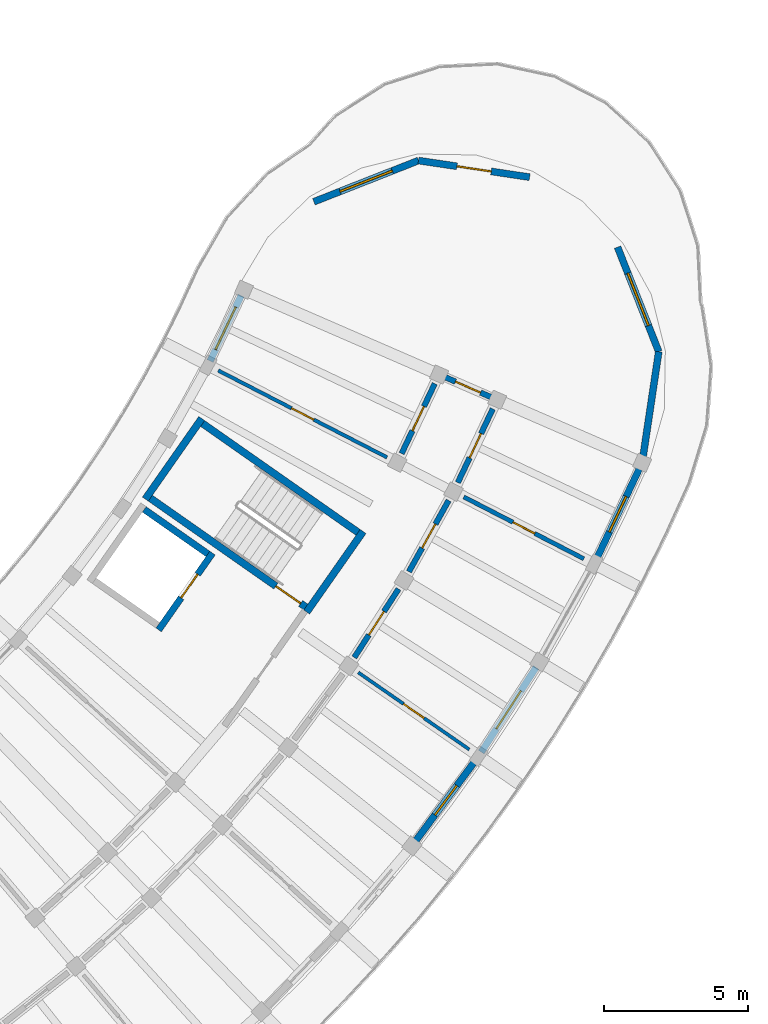
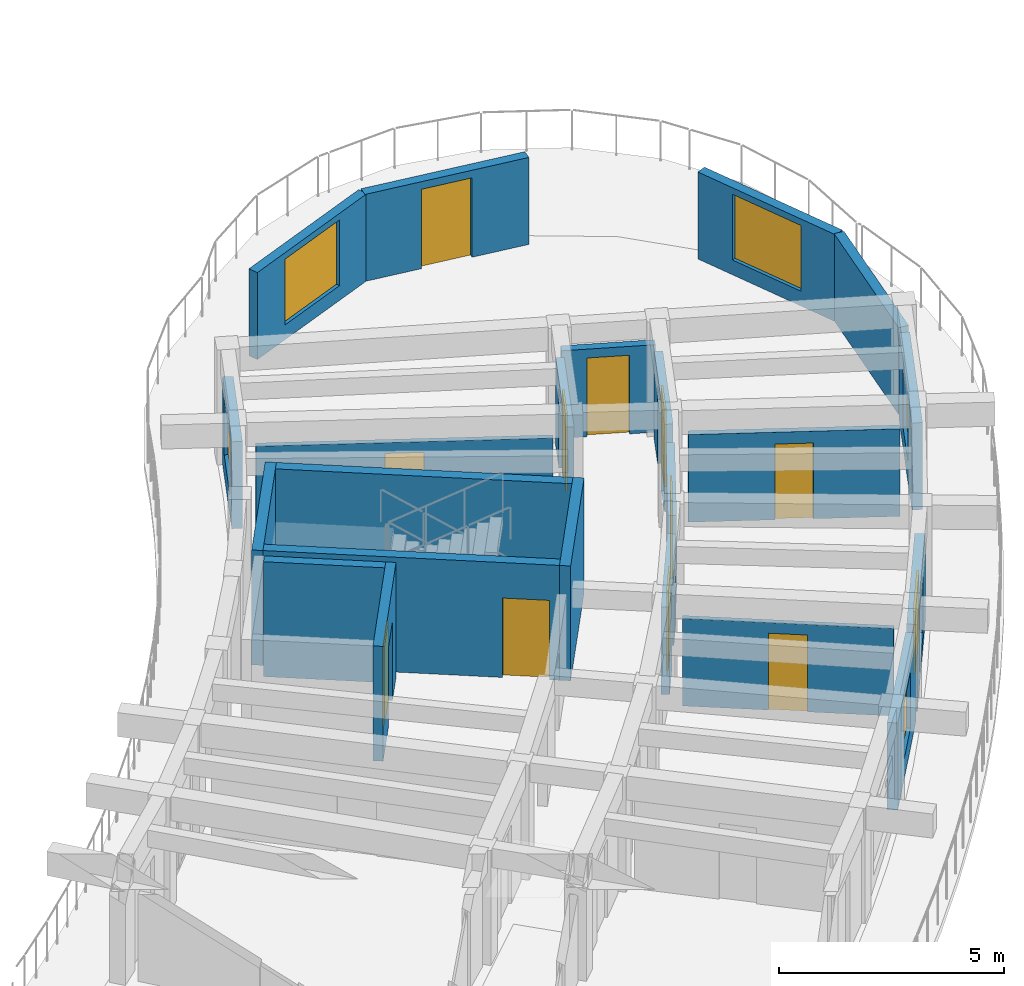
# One storey, part 54 of 83: 22 walls, 11 doors, 6 windows, 17 openings.
"""IFC4 building model written with IfcOpenShell, lengths in metres."""

from ifc_helpers import new_model, si_unit, direction, frame, frame_2d, origin, place, context, subcontext, project, spatial, rectangle, extrude, material, layer, layer_set, type_object, element, fill, save


model = new_model("IFC4")

# Units and contexts
model_context = context("Model", 3, precision=1e-05, world=origin(), true_north=direction((0.0, 1.0)))
body_context = subcontext(model_context, "Body", "Model", "MODEL_VIEW")
ifc_project = project(units=[si_unit("LENGTHUNIT", "METRE"), si_unit("AREAUNIT", "SQUARE_METRE"), si_unit("VOLUMEUNIT", "CUBIC_METRE"), si_unit("PLANEANGLEUNIT", "RADIAN"), si_unit("MASSUNIT", "GRAM", prefix="KILO")], contexts=[model_context])

# Site, building, storey
site_placement = place(None, origin())
site = spatial("IfcSite", under=ifc_project, at=site_placement, CompositionType="ELEMENT")
building_placement = place(site_placement, origin())
building = spatial("IfcBuilding", under=site, at=building_placement, Name="Tanwirah Colonnade Gardens", CompositionType="ELEMENT")
storey_placement = place(building_placement, frame((0.0, 0.0, 25.639892578125)))
storey = spatial("IfcBuildingStorey", under=building, at=storey_placement, Name="L07", CompositionType="ELEMENT", Elevation=25.639892578125)

# Wall, opening, window
ifc_material_1 = material(Name="Limestone architectural precast concrete C40/50", Category="masonry")
ifc_layer_1 = layer(ifc_material_1, 0.239990234375)
ifc_layer_set_1 = layer_set([ifc_layer_1], Name="Limestone architectural precast concrete C40/50")
wall_type_1 = type_object("IfcWallType", Name="EW-PC240", PredefinedType="SOLIDWALL", material=ifc_layer_set_1)
wall_1_placement = place(storey_placement, frame((167.738525390625, 27.60986328125, 0.0), z_axis=(0.0, 0.0, 1.0), x_axis=(0.596613229517, 0.802528911856, 0.0)))
wall_1 = element("IfcWall", 1, at=wall_1_placement, inside=storey, type_object=wall_type_1, Name="Block D L07 OUT Precast Facade Wall 10", PredefinedType="SOLIDWALL", context=body_context, shape_type="SweptSolid", body=[
    extrude(rectangle(XDim=3.511962890625, YDim=0.239990234375, at=frame_2d((1.755859375, 0.0))), origin(), (0.0, 0.0, 1.0), 2.355224609375),
])
opening_1_placement = place(wall_1_placement, frame((1.115966796875, 0.0, 0.550048828125)))
opening_1 = element("IfcOpeningElement", 2, at=opening_1_placement, cuts=wall_1, Name="Opening WIN-T17", PredefinedType="OPENING", context=body_context, shape_type="SweptSolid", body=[
    extrude(rectangle(XDim=1.280029296875, YDim=1.52001953125, at=frame_2d((0.64013671875, 0.760009765625))), frame((0.0, 0.1298828125, 0.0), z_axis=(0.0, -1.0, 0.0), x_axis=(1.0, 0.0, 0.0)), (0.0, 0.0, 1.0), 0.260009765625),
])
ifc_material_2 = material(Name="Thermally broken bronze aluminium and solar low-E double glazing", Category="aluminium")
window_type_1 = type_object("IfcWindowType", Name="WIN-T17", PartitioningType="SINGLE_PANEL", PredefinedType="WINDOW", material=ifc_material_2)
window_1_placement = place(opening_1_placement, origin())
window_1 = element("IfcWindow", 3, at=window_1_placement, inside=storey, type_object=window_type_1, Name="Facade window D-L07-OUT-10", OverallHeight=1.52001953125, OverallWidth=1.280029296875, PartitioningType="SINGLE_PANEL", PredefinedType="WINDOW", context=body_context, shape_type="SweptSolid", body=[
    extrude(rectangle(XDim=1.280029296875, YDim=1.52001953125, at=frame_2d((0.64013671875, 0.760009765625))), frame((0.0, 0.030029296875, 0.0), z_axis=(0.0, -1.0, 0.0), x_axis=(1.0, 0.0, 0.0)), (0.0, 0.0, 1.0), 0.06005859375),
])
fill(opening_1, window_1)

wall_2_placement = place(storey_placement, frame((170.015869140625, 30.691162109375, 0.0), z_axis=(0.0, 0.0, 1.0), x_axis=(0.542804414439, 0.839859135609, 0.0)))
wall_2 = element("IfcWall", 4, at=wall_2_placement, inside=storey, type_object=wall_type_1, Name="Block D L07 OUT Precast Facade Wall 11", PredefinedType="SOLIDWALL", context=body_context, shape_type="SweptSolid", body=[
    extrude(rectangle(XDim=3.511962890625, YDim=0.239990234375, at=frame_2d((1.755859375, 0.0))), origin(), (0.0, 0.0, 1.0), 2.355224609375),
])
opening_2_placement = place(wall_2_placement, frame((0.9658203125, 0.0, 0.35009765625)))
opening_2 = element("IfcOpeningElement", 5, at=opening_2_placement, cuts=wall_2, Name="Opening WIN-T20", PredefinedType="OPENING", context=body_context, shape_type="SweptSolid", body=[
    extrude(rectangle(XDim=1.580078125, YDim=1.679931640625, at=frame_2d((0.7900390625, 0.83984375))), frame((0.0, 0.1298828125, 0.0), z_axis=(0.0, -1.0, 0.0), x_axis=(1.0, 0.0, 0.0)), (0.0, 0.0, 1.0), 0.260009765625),
])
window_type_2 = type_object("IfcWindowType", Name="WIN-T20", PartitioningType="DOUBLE_PANEL_VERTICAL", PredefinedType="WINDOW", material=ifc_material_2)
window_2_placement = place(opening_2_placement, origin())
window_2 = element("IfcWindow", 6, at=window_2_placement, inside=storey, type_object=window_type_2, Name="Facade window D-L07-OUT-11", OverallHeight=1.679931640625, OverallWidth=1.580078125, PartitioningType="SINGLE_PANEL", PredefinedType="WINDOW", context=body_context, shape_type="SweptSolid", body=[
    extrude(rectangle(XDim=1.580078125, YDim=1.679931640625, at=frame_2d((0.7900390625, 0.83984375))), frame((0.0, 0.030029296875, 0.0), z_axis=(0.0, -1.0, 0.0), x_axis=(1.0, 0.0, 0.0)), (0.0, 0.0, 1.0), 0.06005859375),
])
fill(opening_2, window_2)

wall_3_placement = place(storey_placement, frame((174.009521484375, 37.378173828125, 0.0), z_axis=(0.0, 0.0, 1.0), x_axis=(0.428513632784, 0.90353531559, 0.0)))
wall_3 = element("IfcWall", 7, at=wall_3_placement, inside=storey, type_object=wall_type_1, Name="Block D L07 OUT Precast Facade Wall 13", PredefinedType="SOLIDWALL", context=body_context, shape_type="SweptSolid", body=[
    extrude(rectangle(XDim=3.511962890625, YDim=0.239990234375, at=frame_2d((1.755859375, 0.0))), origin(), (0.0, 0.0, 1.0), 2.355224609375),
])
opening_3_placement = place(wall_3_placement, frame((1.075927734375, 0.0, 0.550048828125)))
opening_3 = element("IfcOpeningElement", 8, at=opening_3_placement, cuts=wall_3, Name="Opening WIN-U06", PredefinedType="OPENING", context=body_context, shape_type="SweptSolid", body=[
    extrude(rectangle(XDim=1.360107421875, YDim=1.610107421875, at=frame_2d((0.68017578125, 0.80517578125))), frame((0.0, 0.1298828125, 0.0), z_axis=(0.0, -1.0, 0.0), x_axis=(1.0, 0.0, 0.0)), (0.0, 0.0, 1.0), 0.260009765625),
])
window_type_3 = type_object("IfcWindowType", Name="WIN-U06", PartitioningType="DOUBLE_PANEL_VERTICAL", PredefinedType="WINDOW", material=ifc_material_2)
window_3_placement = place(opening_3_placement, origin())
window_3 = element("IfcWindow", 9, at=window_3_placement, inside=storey, type_object=window_type_3, Name="Facade window D-L07-OUT-13", OverallHeight=1.610107421875, OverallWidth=1.360107421875, PartitioningType="SINGLE_PANEL", PredefinedType="WINDOW", context=body_context, shape_type="SweptSolid", body=[
    extrude(rectangle(XDim=1.360107421875, YDim=1.610107421875, at=frame_2d((0.68017578125, 0.80517578125))), frame((0.0, 0.030029296875, 0.0), z_axis=(0.0, -1.0, 0.0), x_axis=(1.0, 0.0, 0.0)), (0.0, 0.0, 1.0), 0.06005859375),
])
fill(opening_3, window_3)

wall_4_placement = place(storey_placement, frame((160.58544921875, 44.2919921875, 0.0), z_axis=(0.0, 0.0, 1.0), x_axis=(0.428543710186, 0.903521050369, 0.0)))
wall_4 = element("IfcWall", 10, at=wall_4_placement, inside=storey, type_object=wall_type_1, Name="Block D L07 IN Precast Facade Wall 13", PredefinedType="SOLIDWALL", context=body_context, shape_type="SweptSolid", body=[
    extrude(rectangle(XDim=2.523681640625, YDim=0.239990234375, at=frame_2d((1.26171875, 0.0))), origin(), (0.0, 0.0, 1.0), 2.355224609375),
])
opening_4_placement = place(wall_4_placement, frame((0.44189453125, 0.0, 0.550048828125)))
opening_4 = element("IfcOpeningElement", 11, at=opening_4_placement, cuts=wall_4, Name="Opening WIN-U13", PredefinedType="OPENING", context=body_context, shape_type="SweptSolid", body=[
    extrude(rectangle(XDim=1.639892578125, YDim=1.56005859375, at=frame_2d((0.81982421875, 0.780029296875))), frame((0.0, 0.1298828125, 0.0), z_axis=(0.0, -1.0, 0.0), x_axis=(1.0, 0.0, 0.0)), (0.0, 0.0, 1.0), 0.260009765625),
])
window_type_4 = type_object("IfcWindowType", Name="WIN-U13", PartitioningType="DOUBLE_PANEL_VERTICAL", PredefinedType="WINDOW", material=ifc_material_2)
window_4_placement = place(opening_4_placement, origin())
window_4 = element("IfcWindow", 12, at=window_4_placement, inside=storey, type_object=window_type_4, Name="Facade window D-L07-IN-13", OverallHeight=1.56005859375, OverallWidth=1.639892578125, PartitioningType="SINGLE_PANEL", PredefinedType="WINDOW", context=body_context, shape_type="SweptSolid", body=[
    extrude(rectangle(XDim=1.639892578125, YDim=1.56005859375, at=frame_2d((0.81982421875, 0.780029296875))), frame((0.0, 0.030029296875, 0.0), z_axis=(0.0, -1.0, 0.0), x_axis=(1.0, 0.0, 0.0)), (0.0, 0.0, 1.0), 0.06005859375),
])
fill(opening_4, window_4)

wall_5_placement = place(storey_placement, frame((164.1962890625, 49.834228515625, 0.0), z_axis=(0.0, 0.0, 1.0), x_axis=(0.930415493666, 0.366506492637, 0.0)))
wall_5 = element("IfcWall", 13, at=wall_5_placement, inside=storey, type_object=wall_type_1, Name="Block D L07 END Rounded End Wall 1", PredefinedType="SOLIDWALL", context=body_context, shape_type="SweptSolid", body=[
    extrude(rectangle(XDim=3.908203125, YDim=0.239990234375, at=frame_2d((1.9541015625, 0.0))), origin(), (0.0, 0.0, 1.0), 2.355224609375),
])
opening_5_placement = place(wall_5_placement, frame((0.97900390625, 0.0, 0.39990234375)))
opening_5 = element("IfcOpeningElement", 14, at=opening_5_placement, cuts=wall_5, Name="Opening WIN-END2", PredefinedType="OPENING", context=body_context, shape_type="SweptSolid", body=[
    extrude(rectangle(XDim=1.949951171875, YDim=1.780029296875, at=frame_2d((0.97509765625, 0.89013671875))), frame((0.0, 0.1298828125, 0.0), z_axis=(0.0, -1.0, 0.0), x_axis=(1.0, 0.0, 0.0)), (0.0, 0.0, 1.0), 0.260009765625),
])
window_type_5 = type_object("IfcWindowType", Name="WIN-END2", PartitioningType="TRIPLE_PANEL_VERTICAL", PredefinedType="WINDOW", material=ifc_material_2)
window_5_placement = place(opening_5_placement, origin())
window_5 = element("IfcWindow", 15, at=window_5_placement, inside=storey, type_object=window_type_5, Name="Rounded corner window D-L07-END-1", OverallHeight=1.780029296875, OverallWidth=1.949951171875, PartitioningType="SINGLE_PANEL", PredefinedType="WINDOW", context=body_context, shape_type="SweptSolid", body=[
    extrude(rectangle(XDim=1.949951171875, YDim=1.780029296875, at=frame_2d((0.97509765625, 0.89013671875))), frame((0.0, 0.030029296875, 0.0), z_axis=(0.0, -1.0, 0.0), x_axis=(1.0, 0.0, 0.0)), (0.0, 0.0, 1.0), 0.06005859375),
])
fill(opening_5, window_5)

# Wall, opening, door
wall_6_placement = place(storey_placement, frame((167.83251953125, 51.2666015625, 0.0), z_axis=(0.0, 0.0, 1.0), x_axis=(0.989016851926, -0.14780279634, 0.0)))
wall_6 = element("IfcWall", 16, at=wall_6_placement, inside=storey, type_object=wall_type_1, Name="Block D L07 END Rounded End Wall 2", PredefinedType="SOLIDWALL", context=body_context, shape_type="SweptSolid", body=[
    extrude(rectangle(XDim=3.908203125, YDim=0.239990234375, at=frame_2d((1.9541015625, 0.0))), origin(), (0.0, 0.0, 1.0), 2.355224609375),
])
opening_6_placement = place(wall_6_placement, frame((1.35400390625, 0.0, 0.0)))
opening_6 = element("IfcOpeningElement", 17, at=opening_6_placement, cuts=wall_6, Name="Opening L07-ED210", PredefinedType="OPENING", context=body_context, shape_type="SweptSolid", body=[
    extrude(rectangle(XDim=1.199951171875, YDim=2.14990234375, at=frame_2d((0.60009765625, 1.074951171875))), frame((0.0, 0.1298828125, 0.0), z_axis=(0.0, -1.0, 0.0), x_axis=(1.0, 0.0, 0.0)), (0.0, 0.0, 1.0), 0.260009765625),
])
ifc_material_3 = material(Name="Bronze aluminium glazed terrace door", Category="aluminium")
door_type_1 = type_object("IfcDoorType", Name="ED-TER120", OperationType="NOTDEFINED", PredefinedType="DOOR", material=ifc_material_3)
door_1_placement = place(opening_6_placement, origin())
door_1 = element("IfcDoor", 18, at=door_1_placement, inside=storey, type_object=door_type_1, Name="Stepped corner terrace door L07-ED210", OperationType="SINGLE_SWING_LEFT", OverallHeight=2.14990234375, OverallWidth=1.199951171875, PredefinedType="DOOR", context=body_context, shape_type="SweptSolid", body=[
    extrude(rectangle(XDim=1.199951171875, YDim=2.14990234375, at=frame_2d((0.60009765625, 1.074951171875))), frame((0.0, 0.02490234375, 0.0), z_axis=(0.0, -1.0, 0.0), x_axis=(1.0, 0.0, 0.0)), (0.0, 0.0, 1.0), 0.050048828125),
])
fill(opening_6, door_1)

# Wall, opening, window
wall_7_placement = place(storey_placement, frame((174.75634765625, 48.255859375, 0.0), z_axis=(0.0, 0.0, 1.0), x_axis=(0.366452412926, -0.930436794769, 0.0)))
wall_7 = element("IfcWall", 19, at=wall_7_placement, inside=storey, type_object=wall_type_1, Name="Block D L07 END Rounded End Wall 4", PredefinedType="SOLIDWALL", context=body_context, shape_type="SweptSolid", body=[
    extrude(rectangle(XDim=3.908203125, YDim=0.239990234375, at=frame_2d((1.9541015625, 0.0))), origin(), (0.0, 0.0, 1.0), 2.355224609375),
])
opening_7_placement = place(wall_7_placement, frame((0.97900390625, 0.0, 0.39990234375)))
opening_7 = element("IfcOpeningElement", 20, at=opening_7_placement, cuts=wall_7, Name="Opening WIN-END2", PredefinedType="OPENING", context=body_context, shape_type="SweptSolid", body=[
    extrude(rectangle(XDim=1.949951171875, YDim=1.780029296875, at=frame_2d((0.97509765625, 0.89013671875))), frame((0.0, 0.1298828125, 0.0), z_axis=(0.0, -1.0, 0.0), x_axis=(1.0, 0.0, 0.0)), (0.0, 0.0, 1.0), 0.260009765625),
])
window_6_placement = place(opening_7_placement, origin())
window_6 = element("IfcWindow", 21, at=window_6_placement, inside=storey, type_object=window_type_5, Name="Rounded corner window D-L07-END-4", OverallHeight=1.780029296875, OverallWidth=1.949951171875, PartitioningType="SINGLE_PANEL", PredefinedType="WINDOW", context=body_context, shape_type="SweptSolid", body=[
    extrude(rectangle(XDim=1.949951171875, YDim=1.780029296875, at=frame_2d((0.97509765625, 0.89013671875))), frame((0.0, 0.030029296875, 0.0), z_axis=(0.0, -1.0, 0.0), x_axis=(1.0, 0.0, 0.0)), (0.0, 0.0, 1.0), 0.06005859375),
])
fill(opening_7, window_6)

# Wall
wall_8_placement = place(storey_placement, frame((176.1884765625, 44.61962890625, 0.0), z_axis=(0.0, 0.0, 1.0), x_axis=(-0.14780279634, -0.989016851926, 0.0)))
element("IfcWall", 22, at=wall_8_placement, inside=storey, type_object=wall_type_1, Name="Block D L07 END Rounded End Wall 5", PredefinedType="SOLIDWALL", context=body_context, shape_type="SweptSolid", body=[
    extrude(rectangle(XDim=3.908203125, YDim=0.239990234375, at=frame_2d((1.9541015625, 0.0))), origin(), (0.0, 0.0, 1.0), 2.355224609375),
])

# Wall, opening, door
ifc_material_4 = material(Name="Precast concrete C40/50", Category="concrete")
ifc_layer_2 = layer(ifc_material_4, 0.195068359375)
ifc_layer_set_2 = layer_set([ifc_layer_2], Name="Precast concrete C40/50")
wall_type_2 = type_object("IfcWallType", Name="IW-CORR195", PredefinedType="PARTITIONING", material=ifc_layer_set_2)
wall_9_placement = place(storey_placement, frame((165.60009765625, 33.985595703125, 0.0), z_axis=(0.0, 0.0, 1.0), x_axis=(0.542787304957, 0.83987019329, 0.0)))
wall_9 = element("IfcWall", 23, at=wall_9_placement, inside=storey, type_object=wall_type_2, Name="Block D L07 OUT Corridor Wall 11", PredefinedType="PARTITIONING", context=body_context, shape_type="SweptSolid", body=[
    extrude(rectangle(XDim=2.8369140625, YDim=0.195068359375, at=frame_2d((1.41845703125, 0.0))), origin(), (0.0, 0.0, 1.0), 2.3701171875),
])
opening_8_placement = place(wall_9_placement, frame((0.93359375, 0.0, 0.0)))
opening_8 = element("IfcOpeningElement", 24, at=opening_8_placement, cuts=wall_9, Name="Opening L07-AD1922", PredefinedType="OPENING", context=body_context, shape_type="SweptSolid", body=[
    extrude(rectangle(XDim=0.969970703125, YDim=2.14990234375, at=frame_2d((0.48486328125, 1.074951171875))), frame((0.0, 0.107421875, 0.0), z_axis=(0.0, -1.0, 0.0), x_axis=(1.0, 0.0, 0.0)), (0.0, 0.0, 1.0), 0.215087890625),
])
ifc_material_5 = material(Name="Solid oak fire-resisting apartment entrance door")
door_type_2 = type_object("IfcDoorType", Name="ID-FLT097", OperationType="NOTDEFINED", PredefinedType="DOOR", material=ifc_material_5)
door_2_placement = place(opening_8_placement, origin())
door_2 = element("IfcDoor", 25, at=door_2_placement, inside=storey, type_object=door_type_2, Name="Apartment corridor door L07-AD1922", OperationType="SINGLE_SWING_LEFT", OverallHeight=2.14990234375, OverallWidth=0.969970703125, PredefinedType="DOOR", context=body_context, shape_type="SweptSolid", body=[
    extrude(rectangle(XDim=0.969970703125, YDim=2.14990234375, at=frame_2d((0.48486328125, 1.074951171875))), frame((0.0, 0.02490234375, 0.0), z_axis=(0.0, -1.0, 0.0), x_axis=(1.0, 0.0, 0.0)), (0.0, 0.0, 1.0), 0.050048828125),
])
fill(opening_8, door_2)

wall_10_placement = place(storey_placement, frame((167.500244140625, 36.968017578125, 0.0), z_axis=(0.0, 0.0, 1.0), x_axis=(0.48673124079, 0.8735517725, 0.0)))
wall_10 = element("IfcWall", 26, at=wall_10_placement, inside=storey, type_object=wall_type_2, Name="Block D L07 OUT Corridor Wall 12", PredefinedType="PARTITIONING", context=body_context, shape_type="SweptSolid", body=[
    extrude(rectangle(XDim=2.8369140625, YDim=0.195068359375, at=frame_2d((1.41845703125, 0.0))), origin(), (0.0, 0.0, 1.0), 2.3701171875),
])
opening_9_placement = place(wall_10_placement, frame((0.943603515625, 0.0, 0.0)))
opening_9 = element("IfcOpeningElement", 27, at=opening_9_placement, cuts=wall_10, Name="Opening L07-AD1923", PredefinedType="OPENING", context=body_context, shape_type="SweptSolid", body=[
    extrude(rectangle(XDim=0.949951171875, YDim=2.1298828125, at=frame_2d((0.47509765625, 1.06494140625))), frame((0.0, 0.107421875, 0.0), z_axis=(0.0, -1.0, 0.0), x_axis=(1.0, 0.0, 0.0)), (0.0, 0.0, 1.0), 0.215087890625),
])
door_type_3 = type_object("IfcDoorType", Name="ID-FLT095", OperationType="NOTDEFINED", PredefinedType="DOOR", material=ifc_material_5)
door_3_placement = place(opening_9_placement, origin())
door_3 = element("IfcDoor", 28, at=door_3_placement, inside=storey, type_object=door_type_3, Name="Apartment corridor door L07-AD1923", OperationType="SINGLE_SWING_RIGHT", OverallHeight=2.1298828125, OverallWidth=0.949951171875, PredefinedType="DOOR", context=body_context, shape_type="SweptSolid", body=[
    extrude(rectangle(XDim=0.949951171875, YDim=2.1298828125, at=frame_2d((0.47509765625, 1.06494140625))), frame((0.0, 0.02490234375, 0.0), z_axis=(0.0, -1.0, 0.0), x_axis=(1.0, 0.0, 0.0)), (0.0, 0.0, 1.0), 0.050048828125),
])
fill(opening_9, door_3)

wall_11_placement = place(storey_placement, frame((169.201416015625, 40.068115234375, 0.0), z_axis=(0.0, 0.0, 1.0), x_axis=(0.428493237107, 0.903544988229, 0.0)))
wall_11 = element("IfcWall", 29, at=wall_11_placement, inside=storey, type_object=wall_type_2, Name="Block D L07 OUT Corridor Wall 13", PredefinedType="PARTITIONING", context=body_context, shape_type="SweptSolid", body=[
    extrude(rectangle(XDim=2.8369140625, YDim=0.195068359375, at=frame_2d((1.41845703125, 0.0))), origin(), (0.0, 0.0, 1.0), 2.3701171875),
])
opening_10_placement = place(wall_11_placement, frame((0.95361328125, 0.0, 0.0)))
opening_10 = element("IfcOpeningElement", 30, at=opening_10_placement, cuts=wall_11, Name="Opening L07-AD1926", PredefinedType="OPENING", context=body_context, shape_type="SweptSolid", body=[
    extrude(rectangle(XDim=0.929931640625, YDim=2.1201171875, at=frame_2d((0.46484375, 1.06005859375))), frame((0.0, 0.107421875, 0.0), z_axis=(0.0, -1.0, 0.0), x_axis=(1.0, 0.0, 0.0)), (0.0, 0.0, 1.0), 0.215087890625),
])
door_type_4 = type_object("IfcDoorType", Name="ID-FLT093", OperationType="NOTDEFINED", PredefinedType="DOOR", material=ifc_material_5)
door_4_placement = place(opening_10_placement, origin())
door_4 = element("IfcDoor", 31, at=door_4_placement, inside=storey, type_object=door_type_4, Name="Apartment corridor door L07-AD1926", OperationType="SINGLE_SWING_LEFT", OverallHeight=2.1201171875, OverallWidth=0.929931640625, PredefinedType="DOOR", context=body_context, shape_type="SweptSolid", body=[
    extrude(rectangle(XDim=0.929931640625, YDim=2.1201171875, at=frame_2d((0.46484375, 1.06005859375))), frame((0.0, 0.02490234375, 0.0), z_axis=(0.0, -1.0, 0.0), x_axis=(1.0, 0.0, 0.0)), (0.0, 0.0, 1.0), 0.050048828125),
])
fill(opening_10, door_4)

wall_12_placement = place(storey_placement, frame((167.24560546875, 41.075439453125, 0.0), z_axis=(0.0, 0.0, 1.0), x_axis=(0.428550049392, 0.903518043631, 0.0)))
wall_12 = element("IfcWall", 32, at=wall_12_placement, inside=storey, type_object=wall_type_2, Name="Block D L07 IN Corridor Wall 13", PredefinedType="PARTITIONING", context=body_context, shape_type="SweptSolid", body=[
    extrude(rectangle(XDim=2.69287109375, YDim=0.195068359375, at=frame_2d((1.346435546875, 0.0))), origin(), (0.0, 0.0, 1.0), 2.3701171875),
])
opening_11_placement = place(wall_12_placement, frame((0.881591796875, 0.0, 0.0)))
opening_11 = element("IfcOpeningElement", 33, at=opening_11_placement, cuts=wall_12, Name="Opening L07-AD1927", PredefinedType="OPENING", context=body_context, shape_type="SweptSolid", body=[
    extrude(rectangle(XDim=0.929931640625, YDim=2.1201171875, at=frame_2d((0.46484375, 1.06005859375))), frame((0.0, 0.107421875, 0.0), z_axis=(0.0, -1.0, 0.0), x_axis=(1.0, 0.0, 0.0)), (0.0, 0.0, 1.0), 0.215087890625),
])
door_5_placement = place(opening_11_placement, origin())
door_5 = element("IfcDoor", 34, at=door_5_placement, inside=storey, type_object=door_type_4, Name="Apartment corridor door L07-AD1927", OperationType="SINGLE_SWING_RIGHT", OverallHeight=2.1201171875, OverallWidth=0.929931640625, PredefinedType="DOOR", context=body_context, shape_type="SweptSolid", body=[
    extrude(rectangle(XDim=0.929931640625, YDim=2.1201171875, at=frame_2d((0.46484375, 1.06005859375))), frame((0.0, 0.02490234375, 0.0), z_axis=(0.0, -1.0, 0.0), x_axis=(1.0, 0.0, 0.0)), (0.0, 0.0, 1.0), 0.050048828125),
])
fill(opening_11, door_5)

wall_13_placement = place(storey_placement, frame((168.595458984375, 43.804931640625, 0.0), z_axis=(0.0, 0.0, 1.0), x_axis=(0.917051572108, -0.398768622253, 0.0)))
wall_13 = element("IfcWall", 35, at=wall_13_placement, inside=storey, type_object=wall_type_2, Name="Block D L07 CE Corner Suite Corridor Wall", PredefinedType="PARTITIONING", context=body_context, shape_type="SweptSolid", body=[
    extrude(rectangle(XDim=2.099853515625, YDim=0.195068359375, at=frame_2d((1.0498046875, 0.0))), origin(), (0.0, 0.0, 1.0), 2.3701171875),
])
opening_12_placement = place(wall_13_placement, frame((0.570068359375, 0.0, 0.0)))
opening_12 = element("IfcOpeningElement", 36, at=opening_12_placement, cuts=wall_13, Name="Opening L07-CD1929", PredefinedType="OPENING", context=body_context, shape_type="SweptSolid", body=[
    extrude(rectangle(XDim=0.949951171875, YDim=2.1298828125, at=frame_2d((0.47509765625, 1.06494140625))), frame((0.0, 0.107421875, 0.0), z_axis=(0.0, -1.0, 0.0), x_axis=(1.0, 0.0, 0.0)), (0.0, 0.0, 1.0), 0.215087890625),
])
door_6_placement = place(opening_12_placement, origin())
door_6 = element("IfcDoor", 37, at=door_6_placement, inside=storey, type_object=door_type_3, Name="Corner suite entrance door L07-CD1929", OperationType="SINGLE_SWING_RIGHT", OverallHeight=2.1298828125, OverallWidth=0.949951171875, PredefinedType="DOOR", context=body_context, shape_type="SweptSolid", body=[
    extrude(rectangle(XDim=0.949951171875, YDim=2.1298828125, at=frame_2d((0.47509765625, 1.06494140625))), frame((0.0, 0.02490234375, 0.0), z_axis=(0.0, -1.0, 0.0), x_axis=(1.0, 0.0, 0.0)), (0.0, 0.0, 1.0), 0.050048828125),
])
fill(opening_12, door_6)

ifc_material_6 = material(Name="Acoustic gypsum stud partition")
ifc_layer_3 = layer(ifc_material_6, 0.114990234375)
ifc_layer_set_3 = layer_set([ifc_layer_3], Name="Acoustic gypsum stud partition")
wall_type_3 = type_object("IfcWallType", Name="IW-INT115", PredefinedType="PARTITIONING", material=ifc_layer_set_3)
wall_14_placement = place(storey_placement, frame((165.73876953125, 33.463623046875, 0.0), z_axis=(0.0, 0.0, 1.0), x_axis=(0.821638260647, -0.570009270663, 0.0)))
wall_14 = element("IfcWall", 38, at=wall_14_placement, inside=storey, type_object=wall_type_3, Name="Block D L07 Radial Partition 10", PredefinedType="PARTITIONING", context=body_context, shape_type="SweptSolid", body=[
    extrude(rectangle(XDim=4.699951171875, YDim=0.114990234375, at=frame_2d((2.35009765625, 0.0))), origin(), (0.0, 0.0, 1.0), 2.3701171875),
])
opening_13_placement = place(wall_14_placement, frame((1.9150390625, 0.0, 0.0)))
opening_13 = element("IfcOpeningElement", 39, at=opening_13_placement, cuts=wall_14, Name="Opening L07-RD1921", PredefinedType="OPENING", context=body_context, shape_type="SweptSolid", body=[
    extrude(rectangle(XDim=0.8701171875, YDim=2.080078125, at=frame_2d((0.43505859375, 1.0400390625))), frame((0.0, 0.0673828125, 0.0), z_axis=(0.0, -1.0, 0.0), x_axis=(1.0, 0.0, 0.0)), (0.0, 0.0, 1.0), 0.135009765625),
])
ifc_material_7 = material(Name="Painted hardwood study door", Category="wood")
door_type_5 = type_object("IfcDoorType", Name="ID-RM087", OperationType="NOTDEFINED", PredefinedType="DOOR", material=ifc_material_7)
door_7_placement = place(opening_13_placement, origin())
door_7 = element("IfcDoor", 40, at=door_7_placement, inside=storey, type_object=door_type_5, Name="Internal apartment door L07-RD1921", OperationType="SINGLE_SWING_RIGHT", OverallHeight=2.080078125, OverallWidth=0.8701171875, PredefinedType="DOOR", context=body_context, shape_type="SweptSolid", body=[
    extrude(rectangle(XDim=0.8701171875, YDim=2.080078125, at=frame_2d((0.43505859375, 1.0400390625))), frame((0.0, 0.02490234375, 0.0), z_axis=(0.0, -1.0, 0.0), x_axis=(1.0, 0.0, 0.0)), (0.0, 0.0, 1.0), 0.050048828125),
])
fill(opening_13, door_7)

ifc_material_8 = material(Name="Moisture-resistant gypsum stud partition")
ifc_layer_4 = layer(ifc_material_8, 0.125)
ifc_layer_set_4 = layer_set([ifc_layer_4], Name="Moisture-resistant gypsum stud partition")
wall_type_4 = type_object("IfcWallType", Name="IW-INT125", PredefinedType="PARTITIONING", material=ifc_layer_set_4)
wall_15_placement = place(storey_placement, frame((160.872314453125, 43.96435546875, 0.0), z_axis=(0.0, 0.0, 1.0), x_axis=(0.889022010753, -0.457864460727, 0.0)))
wall_15 = element("IfcWall", 41, at=wall_15_placement, inside=storey, type_object=wall_type_4, Name="Block D L07 Inner Radial Partition 12", PredefinedType="PARTITIONING", context=body_context, shape_type="SweptSolid", body=[
    extrude(rectangle(XDim=6.60009765625, YDim=0.125, at=frame_2d((3.300048828125, 0.0))), origin(), (0.0, 0.0, 1.0), 2.3701171875),
])
opening_14_placement = place(wall_15_placement, frame((2.864990234375, 0.0, 0.0)))
opening_14 = element("IfcOpeningElement", 42, at=opening_14_placement, cuts=wall_15, Name="Opening L07-RD1925", PredefinedType="OPENING", context=body_context, shape_type="SweptSolid", body=[
    extrude(rectangle(XDim=0.8701171875, YDim=2.080078125, at=frame_2d((0.43505859375, 1.0400390625))), frame((0.0, 0.072509765625, 0.0), z_axis=(0.0, -1.0, 0.0), x_axis=(1.0, 0.0, 0.0)), (0.0, 0.0, 1.0), 0.14501953125),
])
door_8_placement = place(opening_14_placement, origin())
door_8 = element("IfcDoor", 43, at=door_8_placement, inside=storey, type_object=door_type_5, Name="Internal apartment door L07-RD1925", OperationType="SINGLE_SWING_LEFT", OverallHeight=2.080078125, OverallWidth=0.8701171875, PredefinedType="DOOR", context=body_context, shape_type="SweptSolid", body=[
    extrude(rectangle(XDim=0.8701171875, YDim=2.080078125, at=frame_2d((0.43505859375, 1.0400390625))), frame((0.0, 0.02490234375, 0.0), z_axis=(0.0, -1.0, 0.0), x_axis=(1.0, 0.0, 0.0)), (0.0, 0.0, 1.0), 0.050048828125),
])
fill(opening_14, door_8)

ifc_material_9 = material(Name="Water-resistant acoustic plumbing partition")
ifc_layer_5 = layer(ifc_material_9, 0.14990234375)
ifc_layer_set_5 = layer_set([ifc_layer_5], Name="Water-resistant acoustic plumbing partition")
wall_type_5 = type_object("IfcWallType", Name="IW-WET150", PredefinedType="PLUMBINGWALL", material=ifc_layer_set_5)
wall_16_placement = place(storey_placement, frame((169.406982421875, 39.56884765625, 0.0), z_axis=(0.0, 0.0, 1.0), x_axis=(0.889013002038, -0.457881952262, 0.0)))
wall_16 = element("IfcWall", 44, at=wall_16_placement, inside=storey, type_object=wall_type_5, Name="Block D L07 Radial Partition 12", PredefinedType="PLUMBINGWALL", context=body_context, shape_type="SweptSolid", body=[
    extrude(rectangle(XDim=4.7001953125, YDim=0.14990234375, at=frame_2d((2.35009765625, 0.0))), origin(), (0.0, 0.0, 1.0), 2.3701171875),
])
opening_15_placement = place(wall_16_placement, frame((1.925048828125, 0.0, 0.0)))
opening_15 = element("IfcOpeningElement", 45, at=opening_15_placement, cuts=wall_16, Name="Opening L07-RD1924", PredefinedType="OPENING", context=body_context, shape_type="SweptSolid", body=[
    extrude(rectangle(XDim=0.85009765625, YDim=2.050048828125, at=frame_2d((0.425048828125, 1.02490234375))), frame((0.0, 0.0849609375, 0.0), z_axis=(0.0, -1.0, 0.0), x_axis=(1.0, 0.0, 0.0)), (0.0, 0.0, 1.0), 0.169921875),
])
ifc_material_10 = material(Name="Moisture-resistant en-suite door")
door_type_6 = type_object("IfcDoorType", Name="ID-WET085", OperationType="NOTDEFINED", PredefinedType="DOOR", material=ifc_material_10)
door_9_placement = place(opening_15_placement, origin())
door_9 = element("IfcDoor", 46, at=door_9_placement, inside=storey, type_object=door_type_6, Name="Internal apartment door L07-RD1924", OperationType="SINGLE_SWING_RIGHT", OverallHeight=2.050048828125, OverallWidth=0.85009765625, PredefinedType="DOOR", context=body_context, shape_type="SweptSolid", body=[
    extrude(rectangle(XDim=0.85009765625, YDim=2.050048828125, at=frame_2d((0.425048828125, 1.02490234375))), frame((0.0, 0.02490234375, 0.0), z_axis=(0.0, -1.0, 0.0), x_axis=(1.0, 0.0, 0.0)), (0.0, 0.0, 1.0), 0.050048828125),
])
fill(opening_15, door_9)

# Walls
ifc_material_11 = material(Name="Concrete C45/55", Category="concrete")
ifc_layer_6 = layer(ifc_material_11, 0.25)
ifc_layer_set_6 = layer_set([ifc_layer_6], Name="Concrete C45/55")
wall_type_6 = type_object("IfcWallType", Name="SW-CORE250", PredefinedType="SHEAR", material=ifc_layer_set_6)
wall_17_placement = place(storey_placement, frame((165.732666015625, 38.335693359375, 0.0), z_axis=(0.0, 0.0, 1.0), x_axis=(-0.819153711596, 0.573574055182, 0.0)))
element("IfcWall", 47, at=wall_17_placement, inside=storey, type_object=wall_type_6, Name="CORE-D2 L07 Stair Shaft Shear Wall LEFT", PredefinedType="SHEAR", context=body_context, shape_type="SweptSolid", body=[
    extrude(rectangle(XDim=6.60009765625, YDim=0.25, at=frame_2d((3.300048828125, 0.0))), origin(), (0.0, 0.0, 1.0), 3.110107421875),
])
for number, where, z_axis, x_axis, name in (
    (48, (160.29541015625, 42.29541015625, 0.0), (0.0, 0.0, 1.0), (-0.573582112484, -0.819148069789, 0.0), "CORE-D2 L07 Stair Shaft Shear Wall FAR"),
    (49, (165.90673828125, 38.366455078125, 0.0), (0.0, 0.0, 1.0), (-0.573582112484, -0.819148069789, 0.0), "CORE-D2 L07 Stair Shaft Shear Wall NEAR"),
):
    element("IfcWall", number, at=place(storey_placement, frame(where, z_axis=z_axis, x_axis=x_axis)), inside=storey, type_object=wall_type_6, Name=name, PredefinedType="SHEAR", context=body_context, shape_type="SweptSolid", body=[
        extrude(rectangle(XDim=3.419921875, YDim=0.25, at=frame_2d((1.7099609375, 0.0))), origin(), (0.0, 0.0, 1.0), 3.110107421875),
    ])

# Wall, opening, door
wall_18_placement = place(storey_placement, frame((163.914306640625, 35.739013671875, 0.0), z_axis=(0.0, 0.0, 1.0), x_axis=(-0.819153711596, 0.573574055182, 0.0)))
wall_18 = element("IfcWall", 50, at=wall_18_placement, inside=storey, type_object=wall_type_6, Name="CORE-D2 L07 Stair Shaft Shear Wall RIGHT", PredefinedType="SHEAR", context=body_context, shape_type="SweptSolid", body=[
    extrude(rectangle(XDim=6.60009765625, YDim=0.25, at=frame_2d((3.300048828125, 0.0))), origin(), (0.0, 0.0, 1.0), 3.110107421875),
])
opening_16_placement = place(wall_18_placement, frame((0.219970703125, 0.0, 0.0)))
opening_16 = element("IfcOpeningElement", 51, at=opening_16_placement, cuts=wall_18, Name="Opening L07-SD197", PredefinedType="OPENING", context=body_context, shape_type="SweptSolid", body=[
    extrude(rectangle(XDim=1.050048828125, YDim=2.14990234375, at=frame_2d((0.52490234375, 1.074951171875))), frame((0.0, 0.135009765625, 0.0), z_axis=(0.0, -1.0, 0.0), x_axis=(1.0, 0.0, 0.0)), (0.0, 0.0, 1.0), 0.27001953125),
])
ifc_material_12 = material(Name="Steel fire-resisting stair enclosure door", Category="steel")
door_type_7 = type_object("IfcDoorType", Name="ID-ST105", OperationType="NOTDEFINED", PredefinedType="DOOR", material=ifc_material_12)
door_10_placement = place(opening_16_placement, origin())
door_10 = element("IfcDoor", 52, at=door_10_placement, inside=storey, type_object=door_type_7, Name="CORE-D2 L07 Stair Fire Door L07-SD197", OperationType="SINGLE_SWING_RIGHT", OverallHeight=2.14990234375, OverallWidth=1.050048828125, PredefinedType="DOOR", context=body_context, shape_type="SweptSolid", body=[
    extrude(rectangle(XDim=1.050048828125, YDim=2.14990234375, at=frame_2d((0.52490234375, 1.074951171875))), frame((0.0, 0.02490234375, 0.0), z_axis=(0.0, -1.0, 0.0), x_axis=(1.0, 0.0, 0.0)), (0.0, 0.0, 1.0), 0.050048828125),
])
fill(opening_16, door_10)

ifc_layer_7 = layer(ifc_material_11, 0.22998046875)
ifc_layer_set_7 = layer_set([ifc_layer_7], Name="Concrete C45/55")
wall_type_7 = type_object("IfcWallType", Name="SW-LIFT230", PredefinedType="SHEAR", material=ifc_layer_set_7)
wall_19_placement = place(storey_placement, frame((160.66845703125, 37.614990234375, 0.0), z_axis=(0.0, 0.0, 1.0), x_axis=(-0.573582966431, -0.819147471839, 0.0)))
wall_19 = element("IfcWall", 53, at=wall_19_placement, inside=storey, type_object=wall_type_7, Name="CORE-D2 L07 Lift Shaft Wall FRONT", PredefinedType="SHEAR", context=body_context, shape_type="SweptSolid", body=[
    extrude(rectangle(XDim=3.260009765625, YDim=0.22998046875, at=frame_2d((1.6298828125, 0.0))), origin(), (0.0, 0.0, 1.0), 3.110107421875),
])
opening_17_placement = place(wall_19_placement, frame((0.89990234375, 0.0, 0.0)))
opening_17 = element("IfcOpeningElement", 54, at=opening_17_placement, cuts=wall_19, Name="Opening L07-LD-PL-D2", PredefinedType="OPENING", context=body_context, shape_type="SweptSolid", body=[
    extrude(rectangle(XDim=1.0, YDim=2.14990234375, at=frame_2d((0.5, 1.074951171875))), frame((0.0, 0.125, 0.0), z_axis=(0.0, -1.0, 0.0), x_axis=(1.0, 0.0, 0.0)), (0.0, 0.0, 1.0), 0.25),
])
ifc_material_13 = material(Name="Bronze stainless steel sliding lift landing door", Category="steel")
door_type_8 = type_object("IfcDoorType", Name="LD-PS10", OperationType="DOUBLE_DOOR_SLIDING", PredefinedType="DOOR", material=ifc_material_13)
door_11_placement = place(opening_17_placement, origin())
door_11 = element("IfcDoor", 55, at=door_11_placement, inside=storey, type_object=door_type_8, Name="Lift PL-D2 L07 Sliding Landing Door", OperationType="DOUBLE_DOOR_SLIDING", OverallHeight=2.14990234375, OverallWidth=1.0, PredefinedType="DOOR", context=body_context, shape_type="SweptSolid", body=[
    extrude(rectangle(XDim=1.0, YDim=2.14990234375, at=frame_2d((0.5, 1.074951171875))), frame((0.0, 0.02490234375, 0.0), z_axis=(0.0, -1.0, 0.0), x_axis=(1.0, 0.0, 0.0)), (0.0, 0.0, 1.0), 0.050048828125),
])
fill(opening_17, door_11)

# Wall
wall_20_placement = place(storey_placement, frame((160.50830078125, 37.5869140625, 0.0), z_axis=(0.0, 0.0, 1.0), x_axis=(-0.819189439894, 0.573523026186, 0.0)))
element("IfcWall", 56, at=wall_20_placement, inside=storey, type_object=wall_type_7, Name="CORE-D2 L07 Lift Shaft Wall SIDEA", PredefinedType="SHEAR", context=body_context, shape_type="SweptSolid", body=[
    extrude(rectangle(XDim=2.7001953125, YDim=0.22998046875, at=frame_2d((1.35009765625, 0.0))), origin(), (0.0, 0.0, 1.0), 3.110107421875),
])

save(model, "model.ifc")
